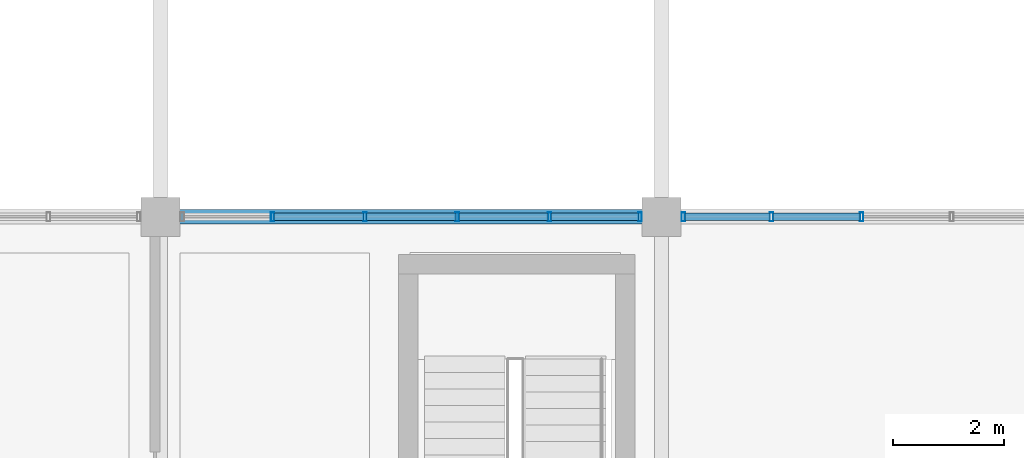
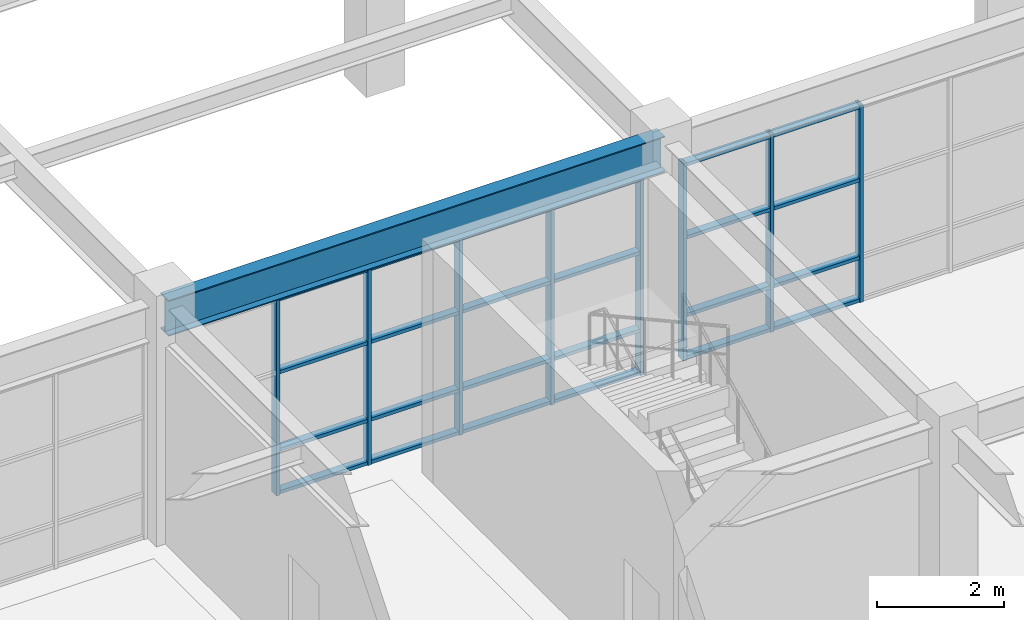
# One storey, part 30 of 104: 32 members, 1 beam, 2 elements without a shape of their own.
"""IFC4 building model written with IfcOpenShell, lengths in metres."""

from ifc_helpers import new_model, si_unit, direction, frame, origin, origin_2d, place, context, subcontext, project, spatial, hollow_rectangle, i_section, extrude, material, layer, layer_set, material_profile, profile_set, type_object, element, aggregate, save


model = new_model("IFC4")

# Units and contexts
model_context = context("Model", 3, precision=1e-05, world=origin(), true_north=direction((0.0, 1.0)))
body_context = subcontext(model_context, "Body", "Model", "MODEL_VIEW")
ifc_project = project(units=[si_unit("LENGTHUNIT", "METRE"), si_unit("AREAUNIT", "SQUARE_METRE"), si_unit("VOLUMEUNIT", "CUBIC_METRE"), si_unit("PLANEANGLEUNIT", "RADIAN"), si_unit("MASSUNIT", "GRAM", prefix="KILO")], contexts=[model_context])

# Site, building, storey
site_placement = place(None, origin())
site = spatial("IfcSite", under=ifc_project, at=site_placement, CompositionType="ELEMENT")
building_placement = place(site_placement, origin())
building = spatial("IfcBuilding", under=site, at=building_placement, Name="Ventoquebrada Cableway Terminal", CompositionType="ELEMENT")
storey_placement = place(building_placement, frame((0.0, 0.0, 4.800048828125)))
storey = spatial("IfcBuildingStorey", under=building, at=storey_placement, Name="L01", CompositionType="ELEMENT", Elevation=4.800048828125)

# Beam
ifc_material_1 = material(Name="Steel ASTM A992 Grade 50", Category="steel")
ifc_material_profile_1 = material_profile(ifc_material_1, i_section(OverallWidth=0.25390625, OverallDepth=0.68798828125, WebThickness=0.01318359375, FlangeThickness=0.02099609375, at=origin_2d()), Name="W27X102")
ifc_profile_set_1 = profile_set([ifc_material_profile_1], Name="Steel ASTM A992 Grade 50")
beam_type = type_object("IfcBeamType", Name="BM-ST04", PredefinedType="BEAM", material=ifc_profile_set_1)
beam_placement = place(storey_placement, frame((17.199951171875, 95.0, 4.120849609375), z_axis=(1.0, 0.0, 0.0), x_axis=(0.0, 1.0, 0.0)))
element("IfcBeam", 1, at=beam_placement, inside=storey, type_object=beam_type, Name="Primary frame girder FBM-0393", PredefinedType="BEAM", context=body_context, shape_type="SweptSolid", body=[
    extrude(i_section(OverallWidth=0.25390625, OverallDepth=0.68798828125, WebThickness=0.01318359375, FlangeThickness=0.02099609375, at=origin_2d()), origin(), (0.0, 0.0, 1.0), 9.0),
])

# Curtain wall, members
ifc_material_2 = material(Name="Anodized thermally-broken aluminium", Category="aluminium")
ifc_layer_1 = layer(ifc_material_2, 0.159912109375)
ifc_layer_set_1 = layer_set([ifc_layer_1], Name="Anodized thermally-broken aluminium")
curtain_wall_type_1 = type_object("IfcCurtainWallType", Name="CW-T14", PredefinedType="USERDEFINED", material=ifc_layer_set_1)
curtain_wall_1_placement = place(storey_placement, origin())
curtain_wall_1 = element("IfcCurtainWall", 2, at=curtain_wall_1_placement, inside=storey, type_object=curtain_wall_type_1, Name="Unitised glazed curtain wall CW-031", ObjectType="UNITISED CURTAIN WALL", PredefinedType="USERDEFINED")
ifc_material_profile_2 = material_profile(ifc_material_2, hollow_rectangle(XDim=0.06494140625, YDim=0.159912109375, WallThickness=0.00390625, at=origin_2d()), Name="CW-MUL-65X160")
ifc_profile_set_2 = profile_set([ifc_material_profile_2], Name="Anodized thermally-broken aluminium")
member_type_1 = type_object("IfcMemberType", Name="CWM-01", PredefinedType="MULLION", material=ifc_profile_set_2)
member_1_placement = place(storey_placement, frame((25.81005859375, 95.0, -0.008056640625), z_axis=(0.0, 0.0, 1.0), x_axis=(-1.0, 0.0, 0.0)))
member_1 = element("IfcMember", 3, at=member_1_placement, type_object=member_type_1, Name="Curtain wall mullion FML-0139", PredefinedType="MULLION", context=body_context, shape_type="SweptSolid", body=[
    extrude(hollow_rectangle(XDim=0.06494140625, YDim=0.159912109375, WallThickness=0.00390625, at=origin_2d()), origin(), (0.0, 0.0, 1.0), 3.784912109375),
])
member_2_placement = place(storey_placement, frame((24.18701171875, 95.0, -0.008056640625), z_axis=(0.0, 0.0, 1.0), x_axis=(-1.0, 0.0, 0.0)))
member_2 = element("IfcMember", 4, at=member_2_placement, type_object=member_type_1, Name="Curtain wall mullion FML-0140", PredefinedType="MULLION", context=body_context, shape_type="SweptSolid", body=[
    extrude(hollow_rectangle(XDim=0.06494140625, YDim=0.159912109375, WallThickness=0.00390625, at=origin_2d()), origin(), (0.0, 0.0, 1.0), 3.784912109375),
])
member_3_placement = place(storey_placement, frame((22.529052734375, 95.0, -0.008056640625), z_axis=(0.0, 0.0, 1.0), x_axis=(-1.0, 0.0, 0.0)))
member_3 = element("IfcMember", 5, at=member_3_placement, type_object=member_type_1, Name="Curtain wall mullion FML-0141", PredefinedType="MULLION", context=body_context, shape_type="SweptSolid", body=[
    extrude(hollow_rectangle(XDim=0.06494140625, YDim=0.159912109375, WallThickness=0.00390625, at=origin_2d()), origin(), (0.0, 0.0, 1.0), 3.784912109375),
])
member_4_placement = place(storey_placement, frame((20.87109375, 95.0, -0.008056640625), z_axis=(0.0, 0.0, 1.0), x_axis=(-1.0, 0.0, 0.0)))
member_4 = element("IfcMember", 6, at=member_4_placement, type_object=member_type_1, Name="Curtain wall mullion FML-0142", PredefinedType="MULLION", context=body_context, shape_type="SweptSolid", body=[
    extrude(hollow_rectangle(XDim=0.06494140625, YDim=0.159912109375, WallThickness=0.00390625, at=origin_2d()), origin(), (0.0, 0.0, 1.0), 3.784912109375),
])
member_5_placement = place(storey_placement, frame((19.212890625, 95.0, -0.008056640625), z_axis=(0.0, 0.0, 1.0), x_axis=(-1.0, 0.0, 0.0)))
member_5 = element("IfcMember", 7, at=member_5_placement, type_object=member_type_1, Name="Curtain wall mullion FML-0143", PredefinedType="MULLION", context=body_context, shape_type="SweptSolid", body=[
    extrude(hollow_rectangle(XDim=0.06494140625, YDim=0.159912109375, WallThickness=0.00390625, at=origin_2d()), origin(), (0.0, 0.0, 1.0), 3.784912109375),
])

ifc_layer_2 = layer(ifc_material_2, 0.159912109375)
ifc_layer_set_2 = layer_set([ifc_layer_2], Name="Anodized thermally-broken aluminium")
curtain_wall_type_2 = type_object("IfcCurtainWallType", Name="CW-T15", PredefinedType="USERDEFINED", material=ifc_layer_set_2)
curtain_wall_2_placement = place(storey_placement, origin())
curtain_wall_2 = element("IfcCurtainWall", 8, at=curtain_wall_2_placement, inside=storey, type_object=curtain_wall_type_2, Name="Unitised glazed curtain wall CW-032", ObjectType="UNITISED CURTAIN WALL", PredefinedType="USERDEFINED")
member_6_placement = place(storey_placement, frame((29.791015625, 95.0, -0.008056640625), z_axis=(0.0, 0.0, 1.0), x_axis=(-1.0, 0.0, 0.0)))
member_6 = element("IfcMember", 9, at=member_6_placement, type_object=member_type_1, Name="Curtain wall mullion FML-0148", PredefinedType="MULLION", context=body_context, shape_type="SweptSolid", body=[
    extrude(hollow_rectangle(XDim=0.06494140625, YDim=0.159912109375, WallThickness=0.00390625, at=origin_2d()), origin(), (0.0, 0.0, 1.0), 3.784912109375),
])
member_7_placement = place(storey_placement, frame((28.173095703125, 95.0, -0.008056640625), z_axis=(0.0, 0.0, 1.0), x_axis=(-1.0, 0.0, 0.0)))
member_7 = element("IfcMember", 10, at=member_7_placement, type_object=member_type_1, Name="Curtain wall mullion FML-0149", PredefinedType="MULLION", context=body_context, shape_type="SweptSolid", body=[
    extrude(hollow_rectangle(XDim=0.06494140625, YDim=0.159912109375, WallThickness=0.00390625, at=origin_2d()), origin(), (0.0, 0.0, 1.0), 3.784912109375),
])
member_8_placement = place(storey_placement, frame((26.590087890625, 95.0, -0.008056640625), z_axis=(0.0, 0.0, 1.0), x_axis=(-1.0, 0.0, 0.0)))
member_8 = element("IfcMember", 11, at=member_8_placement, type_object=member_type_1, Name="Curtain wall mullion FML-0150", PredefinedType="MULLION", context=body_context, shape_type="SweptSolid", body=[
    extrude(hollow_rectangle(XDim=0.06494140625, YDim=0.159912109375, WallThickness=0.00390625, at=origin_2d()), origin(), (0.0, 0.0, 1.0), 3.784912109375),
])

# Member
ifc_material_profile_3 = material_profile(ifc_material_2, hollow_rectangle(XDim=0.06494140625, YDim=0.139892578125, WallThickness=0.00390625, at=origin_2d()), Name="CW-TRN-65X140")
ifc_profile_set_3 = profile_set([ifc_material_profile_3], Name="Anodized thermally-broken aluminium")
member_type_2 = type_object("IfcMemberType", Name="CWT-01", PredefinedType="USERDEFINED", material=ifc_profile_set_3)
member_9_placement = place(storey_placement, frame((25.781982421875, 95.0, 0.034912109375), z_axis=(-1.0, 0.0, 0.0), x_axis=(0.0, 0.0, 1.0)))
member_9 = element("IfcMember", 12, at=member_9_placement, type_object=member_type_2, Name="Curtain wall transom FTR-0411", ObjectType="TRANSOM", PredefinedType="USERDEFINED", context=body_context, shape_type="SweptSolid", body=[
    extrude(hollow_rectangle(XDim=0.06494140625, YDim=0.139892578125, WallThickness=0.00390625, at=origin_2d()), origin(), (0.0, 0.0, 1.0), 1.56787109375),
])

member_10_placement = place(storey_placement, frame((25.781982421875, 95.0, 0.849853515625), z_axis=(-1.0, 0.0, 0.0), x_axis=(0.0, 0.0, 1.0)))
member_10 = element("IfcMember", 13, at=member_10_placement, type_object=member_type_2, Name="Curtain wall transom FTR-0412", ObjectType="TRANSOM", PredefinedType="USERDEFINED", context=body_context, shape_type="SweptSolid", body=[
    extrude(hollow_rectangle(XDim=0.06494140625, YDim=0.139892578125, WallThickness=0.00390625, at=origin_2d()), origin(), (0.0, 0.0, 1.0), 1.56787109375),
])

member_11_placement = place(storey_placement, frame((25.781982421875, 95.0, 2.3388671875), z_axis=(-1.0, 0.0, 0.0), x_axis=(0.0, 0.0, 1.0)))
member_11 = element("IfcMember", 14, at=member_11_placement, type_object=member_type_2, Name="Curtain wall transom FTR-0413", ObjectType="TRANSOM", PredefinedType="USERDEFINED", context=body_context, shape_type="SweptSolid", body=[
    extrude(hollow_rectangle(XDim=0.06494140625, YDim=0.139892578125, WallThickness=0.00390625, at=origin_2d()), origin(), (0.0, 0.0, 1.0), 1.56787109375),
])

member_12_placement = place(storey_placement, frame((25.781982421875, 95.0, 3.737060546875), z_axis=(-1.0, 0.0, 0.0), x_axis=(0.0, 0.0, 1.0)))
member_12 = element("IfcMember", 15, at=member_12_placement, type_object=member_type_2, Name="Curtain wall transom FTR-0414", ObjectType="TRANSOM", PredefinedType="USERDEFINED", context=body_context, shape_type="SweptSolid", body=[
    extrude(hollow_rectangle(XDim=0.06494140625, YDim=0.139892578125, WallThickness=0.00390625, at=origin_2d()), origin(), (0.0, 0.0, 1.0), 1.56787109375),
])

member_13_placement = place(storey_placement, frame((24.158935546875, 95.0, 0.034912109375), z_axis=(-1.0, 0.0, 0.0), x_axis=(0.0, 0.0, 1.0)))
member_13 = element("IfcMember", 16, at=member_13_placement, type_object=member_type_2, Name="Curtain wall transom FTR-0415", ObjectType="TRANSOM", PredefinedType="USERDEFINED", context=body_context, shape_type="SweptSolid", body=[
    extrude(hollow_rectangle(XDim=0.06494140625, YDim=0.139892578125, WallThickness=0.00390625, at=origin_2d()), origin(), (0.0, 0.0, 1.0), 1.60302734375),
])

member_14_placement = place(storey_placement, frame((24.158935546875, 95.0, 0.849853515625), z_axis=(-1.0, 0.0, 0.0), x_axis=(0.0, 0.0, 1.0)))
member_14 = element("IfcMember", 17, at=member_14_placement, type_object=member_type_2, Name="Curtain wall transom FTR-0416", ObjectType="TRANSOM", PredefinedType="USERDEFINED", context=body_context, shape_type="SweptSolid", body=[
    extrude(hollow_rectangle(XDim=0.06494140625, YDim=0.139892578125, WallThickness=0.00390625, at=origin_2d()), origin(), (0.0, 0.0, 1.0), 1.60302734375),
])

member_15_placement = place(storey_placement, frame((24.158935546875, 95.0, 2.3388671875), z_axis=(-1.0, 0.0, 0.0), x_axis=(0.0, 0.0, 1.0)))
member_15 = element("IfcMember", 18, at=member_15_placement, type_object=member_type_2, Name="Curtain wall transom FTR-0417", ObjectType="TRANSOM", PredefinedType="USERDEFINED", context=body_context, shape_type="SweptSolid", body=[
    extrude(hollow_rectangle(XDim=0.06494140625, YDim=0.139892578125, WallThickness=0.00390625, at=origin_2d()), origin(), (0.0, 0.0, 1.0), 1.60302734375),
])

member_16_placement = place(storey_placement, frame((24.158935546875, 95.0, 3.737060546875), z_axis=(-1.0, 0.0, 0.0), x_axis=(0.0, 0.0, 1.0)))
member_16 = element("IfcMember", 19, at=member_16_placement, type_object=member_type_2, Name="Curtain wall transom FTR-0418", ObjectType="TRANSOM", PredefinedType="USERDEFINED", context=body_context, shape_type="SweptSolid", body=[
    extrude(hollow_rectangle(XDim=0.06494140625, YDim=0.139892578125, WallThickness=0.00390625, at=origin_2d()), origin(), (0.0, 0.0, 1.0), 1.60302734375),
])

member_17_placement = place(storey_placement, frame((22.501953125, 95.0, 0.034912109375), z_axis=(-1.0, 0.0, 0.0), x_axis=(0.0, 0.0, 1.0)))
member_17 = element("IfcMember", 20, at=member_17_placement, type_object=member_type_2, Name="Curtain wall transom FTR-0419", ObjectType="TRANSOM", PredefinedType="USERDEFINED", context=body_context, shape_type="SweptSolid", body=[
    extrude(hollow_rectangle(XDim=0.06494140625, YDim=0.139892578125, WallThickness=0.00390625, at=origin_2d()), origin(), (0.0, 0.0, 1.0), 1.60400390625),
])

member_18_placement = place(storey_placement, frame((22.501953125, 95.0, 0.849853515625), z_axis=(-1.0, 0.0, 0.0), x_axis=(0.0, 0.0, 1.0)))
member_18 = element("IfcMember", 21, at=member_18_placement, type_object=member_type_2, Name="Curtain wall transom FTR-0420", ObjectType="TRANSOM", PredefinedType="USERDEFINED", context=body_context, shape_type="SweptSolid", body=[
    extrude(hollow_rectangle(XDim=0.06494140625, YDim=0.139892578125, WallThickness=0.00390625, at=origin_2d()), origin(), (0.0, 0.0, 1.0), 1.60400390625),
])

member_19_placement = place(storey_placement, frame((22.501953125, 95.0, 2.3388671875), z_axis=(-1.0, 0.0, 0.0), x_axis=(0.0, 0.0, 1.0)))
member_19 = element("IfcMember", 22, at=member_19_placement, type_object=member_type_2, Name="Curtain wall transom FTR-0421", ObjectType="TRANSOM", PredefinedType="USERDEFINED", context=body_context, shape_type="SweptSolid", body=[
    extrude(hollow_rectangle(XDim=0.06494140625, YDim=0.139892578125, WallThickness=0.00390625, at=origin_2d()), origin(), (0.0, 0.0, 1.0), 1.60400390625),
])

member_20_placement = place(storey_placement, frame((22.501953125, 95.0, 3.737060546875), z_axis=(-1.0, 0.0, 0.0), x_axis=(0.0, 0.0, 1.0)))
member_20 = element("IfcMember", 23, at=member_20_placement, type_object=member_type_2, Name="Curtain wall transom FTR-0422", ObjectType="TRANSOM", PredefinedType="USERDEFINED", context=body_context, shape_type="SweptSolid", body=[
    extrude(hollow_rectangle(XDim=0.06494140625, YDim=0.139892578125, WallThickness=0.00390625, at=origin_2d()), origin(), (0.0, 0.0, 1.0), 1.60400390625),
])

member_21_placement = place(storey_placement, frame((20.843017578125, 95.0, 0.034912109375), z_axis=(-1.0, 0.0, 0.0), x_axis=(0.0, 0.0, 1.0)))
member_21 = element("IfcMember", 24, at=member_21_placement, type_object=member_type_2, Name="Curtain wall transom FTR-0423", ObjectType="TRANSOM", PredefinedType="USERDEFINED", context=body_context, shape_type="SweptSolid", body=[
    extrude(hollow_rectangle(XDim=0.06494140625, YDim=0.139892578125, WallThickness=0.00390625, at=origin_2d()), origin(), (0.0, 0.0, 1.0), 1.60302734375),
])

member_22_placement = place(storey_placement, frame((20.843017578125, 95.0, 0.849853515625), z_axis=(-1.0, 0.0, 0.0), x_axis=(0.0, 0.0, 1.0)))
member_22 = element("IfcMember", 25, at=member_22_placement, type_object=member_type_2, Name="Curtain wall transom FTR-0424", ObjectType="TRANSOM", PredefinedType="USERDEFINED", context=body_context, shape_type="SweptSolid", body=[
    extrude(hollow_rectangle(XDim=0.06494140625, YDim=0.139892578125, WallThickness=0.00390625, at=origin_2d()), origin(), (0.0, 0.0, 1.0), 1.60302734375),
])

member_23_placement = place(storey_placement, frame((20.843017578125, 95.0, 2.3388671875), z_axis=(-1.0, 0.0, 0.0), x_axis=(0.0, 0.0, 1.0)))
member_23 = element("IfcMember", 26, at=member_23_placement, type_object=member_type_2, Name="Curtain wall transom FTR-0425", ObjectType="TRANSOM", PredefinedType="USERDEFINED", context=body_context, shape_type="SweptSolid", body=[
    extrude(hollow_rectangle(XDim=0.06494140625, YDim=0.139892578125, WallThickness=0.00390625, at=origin_2d()), origin(), (0.0, 0.0, 1.0), 1.60302734375),
])

member_24_placement = place(storey_placement, frame((20.843017578125, 95.0, 3.737060546875), z_axis=(-1.0, 0.0, 0.0), x_axis=(0.0, 0.0, 1.0)))
member_24 = element("IfcMember", 27, at=member_24_placement, type_object=member_type_2, Name="Curtain wall transom FTR-0426", ObjectType="TRANSOM", PredefinedType="USERDEFINED", context=body_context, shape_type="SweptSolid", body=[
    extrude(hollow_rectangle(XDim=0.06494140625, YDim=0.139892578125, WallThickness=0.00390625, at=origin_2d()), origin(), (0.0, 0.0, 1.0), 1.60302734375),
])

aggregate(curtain_wall_1, [member_1, member_2, member_3, member_4, member_5, member_9, member_10, member_11, member_12, member_13, member_14, member_15, member_16, member_17, member_18, member_19, member_20, member_21, member_22, member_23, member_24])

member_25_placement = place(storey_placement, frame((29.763916015625, 95.0, 0.034912109375), z_axis=(-1.0, 0.0, 0.0), x_axis=(0.0, 0.0, 1.0)))
member_25 = element("IfcMember", 28, at=member_25_placement, type_object=member_type_2, Name="Curtain wall transom FTR-0443", ObjectType="TRANSOM", PredefinedType="USERDEFINED", context=body_context, shape_type="SweptSolid", body=[
    extrude(hollow_rectangle(XDim=0.06494140625, YDim=0.139892578125, WallThickness=0.00390625, at=origin_2d()), origin(), (0.0, 0.0, 1.0), 1.56396484375),
])

member_26_placement = place(storey_placement, frame((29.763916015625, 95.0, 0.849853515625), z_axis=(-1.0, 0.0, 0.0), x_axis=(0.0, 0.0, 1.0)))
member_26 = element("IfcMember", 29, at=member_26_placement, type_object=member_type_2, Name="Curtain wall transom FTR-0444", ObjectType="TRANSOM", PredefinedType="USERDEFINED", context=body_context, shape_type="SweptSolid", body=[
    extrude(hollow_rectangle(XDim=0.06494140625, YDim=0.139892578125, WallThickness=0.00390625, at=origin_2d()), origin(), (0.0, 0.0, 1.0), 1.56396484375),
])

member_27_placement = place(storey_placement, frame((29.763916015625, 95.0, 2.3388671875), z_axis=(-1.0, 0.0, 0.0), x_axis=(0.0, 0.0, 1.0)))
member_27 = element("IfcMember", 30, at=member_27_placement, type_object=member_type_2, Name="Curtain wall transom FTR-0445", ObjectType="TRANSOM", PredefinedType="USERDEFINED", context=body_context, shape_type="SweptSolid", body=[
    extrude(hollow_rectangle(XDim=0.06494140625, YDim=0.139892578125, WallThickness=0.00390625, at=origin_2d()), origin(), (0.0, 0.0, 1.0), 1.56396484375),
])

member_28_placement = place(storey_placement, frame((29.763916015625, 95.0, 3.737060546875), z_axis=(-1.0, 0.0, 0.0), x_axis=(0.0, 0.0, 1.0)))
member_28 = element("IfcMember", 31, at=member_28_placement, type_object=member_type_2, Name="Curtain wall transom FTR-0446", ObjectType="TRANSOM", PredefinedType="USERDEFINED", context=body_context, shape_type="SweptSolid", body=[
    extrude(hollow_rectangle(XDim=0.06494140625, YDim=0.139892578125, WallThickness=0.00390625, at=origin_2d()), origin(), (0.0, 0.0, 1.0), 1.56396484375),
])

member_29_placement = place(storey_placement, frame((28.14501953125, 95.0, 0.034912109375), z_axis=(-1.0, 0.0, 0.0), x_axis=(0.0, 0.0, 1.0)))
member_29 = element("IfcMember", 32, at=member_29_placement, type_object=member_type_2, Name="Curtain wall transom FTR-0447", ObjectType="TRANSOM", PredefinedType="USERDEFINED", context=body_context, shape_type="SweptSolid", body=[
    extrude(hollow_rectangle(XDim=0.06494140625, YDim=0.139892578125, WallThickness=0.00390625, at=origin_2d()), origin(), (0.0, 0.0, 1.0), 1.528076171875),
])

member_30_placement = place(storey_placement, frame((28.14501953125, 95.0, 0.849853515625), z_axis=(-1.0, 0.0, 0.0), x_axis=(0.0, 0.0, 1.0)))
member_30 = element("IfcMember", 33, at=member_30_placement, type_object=member_type_2, Name="Curtain wall transom FTR-0448", ObjectType="TRANSOM", PredefinedType="USERDEFINED", context=body_context, shape_type="SweptSolid", body=[
    extrude(hollow_rectangle(XDim=0.06494140625, YDim=0.139892578125, WallThickness=0.00390625, at=origin_2d()), origin(), (0.0, 0.0, 1.0), 1.528076171875),
])

member_31_placement = place(storey_placement, frame((28.14501953125, 95.0, 2.3388671875), z_axis=(-1.0, 0.0, 0.0), x_axis=(0.0, 0.0, 1.0)))
member_31 = element("IfcMember", 34, at=member_31_placement, type_object=member_type_2, Name="Curtain wall transom FTR-0449", ObjectType="TRANSOM", PredefinedType="USERDEFINED", context=body_context, shape_type="SweptSolid", body=[
    extrude(hollow_rectangle(XDim=0.06494140625, YDim=0.139892578125, WallThickness=0.00390625, at=origin_2d()), origin(), (0.0, 0.0, 1.0), 1.528076171875),
])

member_32_placement = place(storey_placement, frame((28.14501953125, 95.0, 3.737060546875), z_axis=(-1.0, 0.0, 0.0), x_axis=(0.0, 0.0, 1.0)))
member_32 = element("IfcMember", 35, at=member_32_placement, type_object=member_type_2, Name="Curtain wall transom FTR-0450", ObjectType="TRANSOM", PredefinedType="USERDEFINED", context=body_context, shape_type="SweptSolid", body=[
    extrude(hollow_rectangle(XDim=0.06494140625, YDim=0.139892578125, WallThickness=0.00390625, at=origin_2d()), origin(), (0.0, 0.0, 1.0), 1.528076171875),
])

aggregate(curtain_wall_2, [member_6, member_7, member_8, member_25, member_26, member_27, member_28, member_29, member_30, member_31, member_32])

save(model, "model.ifc")
